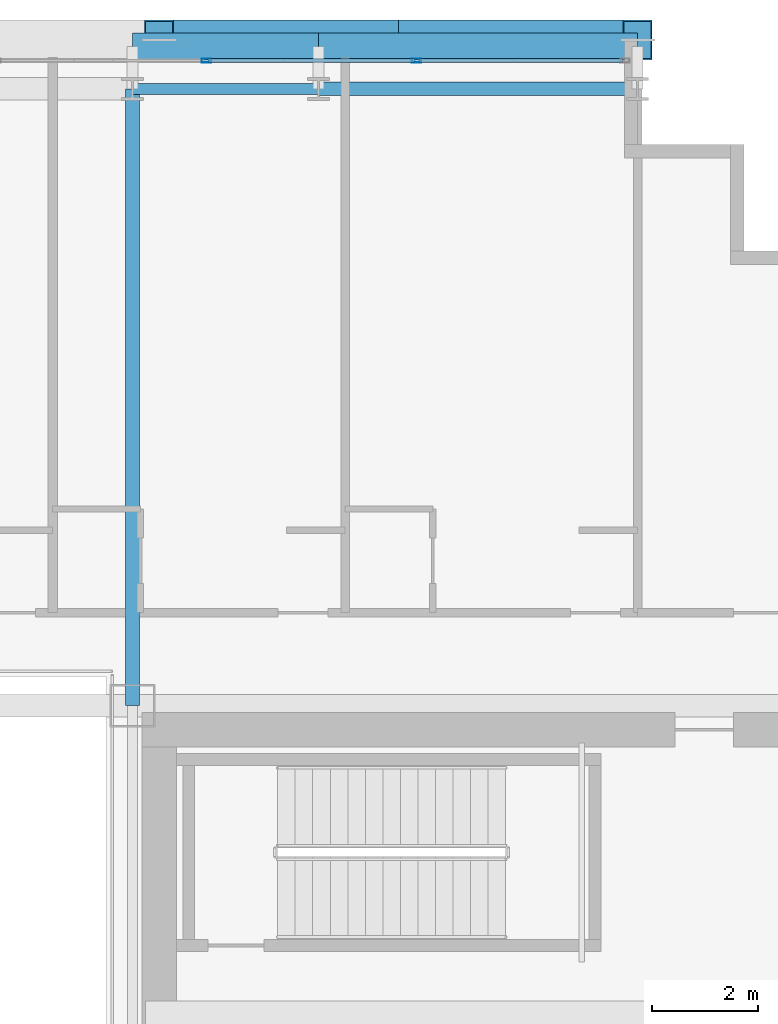
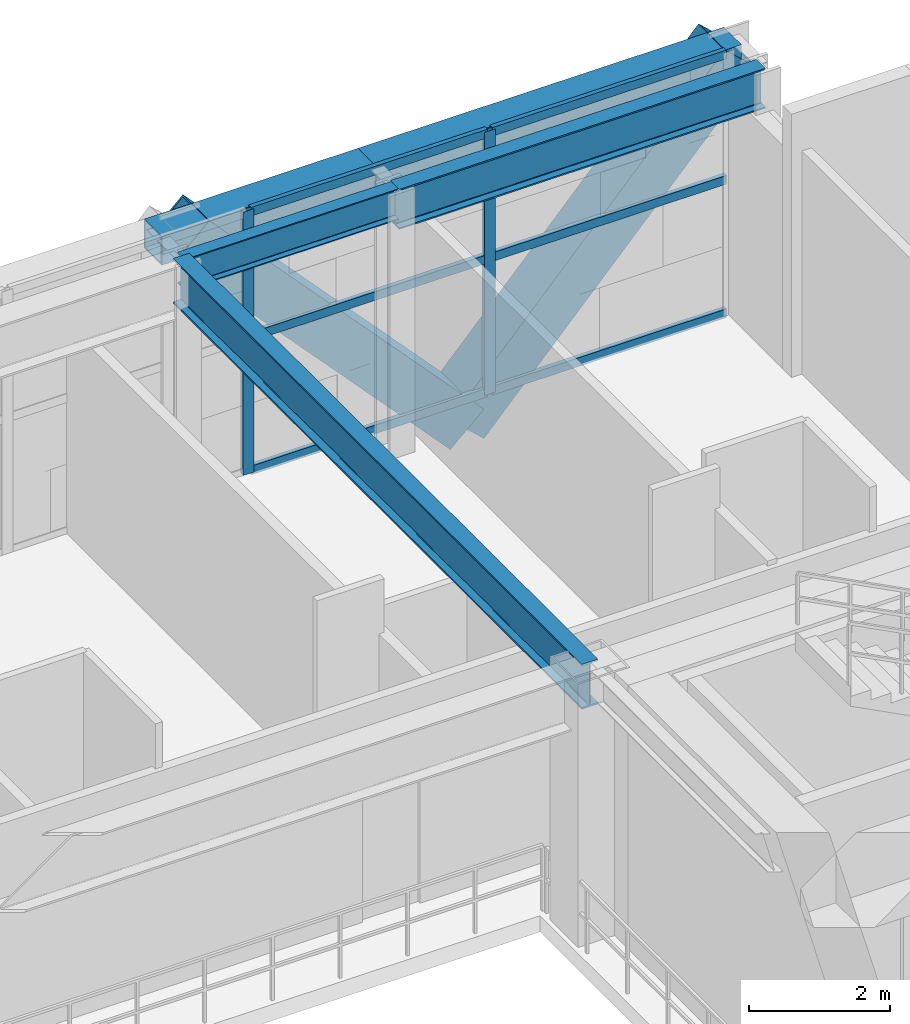
# One storey, part 23 of 38: 10 members, 5 beams, 1 element without a shape of its own.
"""IFC4 building model written with IfcOpenShell, lengths in metres."""

from ifc_helpers import new_model, si_unit, direction, frame, origin, origin_2d, place, context, subcontext, project, spatial, hollow_rectangle, i_section, extrude, source, transform, mapped, material, layer, layer_set, material_profile, profile_set, type_object, element, aggregate, save


model = new_model("IFC4")

# Units and contexts
model_context = context("Model", 3, precision=1e-05, world=origin(), true_north=direction((0.0, 1.0)))
body_context = subcontext(model_context, "Body", "Model", "MODEL_VIEW")
ifc_project = project(units=[si_unit("LENGTHUNIT", "METRE"), si_unit("AREAUNIT", "SQUARE_METRE"), si_unit("VOLUMEUNIT", "CUBIC_METRE"), si_unit("PLANEANGLEUNIT", "RADIAN"), si_unit("MASSUNIT", "GRAM", prefix="KILO")], contexts=[model_context])

# Site, building, storey
site_placement = place(None, origin())
site = spatial("IfcSite", under=ifc_project, at=site_placement, CompositionType="ELEMENT")
building_placement = place(site_placement, origin())
building = spatial("IfcBuilding", under=site, at=building_placement, Name="Ocotamira Hotel", CompositionType="ELEMENT")
storey_placement = place(building_placement, frame((0.0, 0.0, 92.39990234375)))
storey = spatial("IfcBuildingStorey", under=building, at=storey_placement, Name="L22", CompositionType="ELEMENT", Elevation=92.39990234375)

# Beams
ifc_material_1 = material(Name="Steel ASTM A992 Grade 50", Category="steel")
ifc_material_profile_1 = material_profile(ifc_material_1, i_section(OverallWidth=0.256103515625, OverallDepth=0.693115234375, WebThickness=0.014404296875, FlangeThickness=0.023681640625, FilletRadius=0.01611328125, at=origin_2d()), Name="W27X114")
ifc_profile_set_1 = profile_set([ifc_material_profile_1], Name="Steel ASTM A992 Grade 50")
beam_type_1 = type_object("IfcBeamType", Name="BM-PRIM-W27X114", PredefinedType="BEAM", material=ifc_profile_set_1)
shared_shape_1 = source(origin(), body_context, "Body", "SweptSolid", [
    extrude(i_section(OverallWidth=0.256103515625, OverallDepth=0.693115234375, WebThickness=0.014404296875, FlangeThickness=0.023681640625, FilletRadius=0.01611328125, at=origin_2d()), origin(), (0.0, 0.0, 1.0), 6.0),
])
beam_1_placement = place(storey_placement, frame((44.0, 49.050048828125, 4.213623046875), z_axis=(1.0, 0.0, 0.0), x_axis=(0.0, 1.0, 0.0)))
element("IfcBeam", 1, at=beam_1_placement, inside=storey, type_object=beam_type_1, Name="L22 Girder Y49.05 X44-50", PredefinedType="BEAM", context=body_context, shape_type="MappedRepresentation", body=[
    mapped(shared_shape_1, transform((0.0, 0.0, 0.0), scale=1.0)),
])
ifc_material_profile_2 = material_profile(ifc_material_1, i_section(OverallWidth=0.2099609375, OverallDepth=0.537109375, WebThickness=0.010986328125, FlangeThickness=0.017333984375, FilletRadius=0.012939453125, at=origin_2d()), Name="W21X68")
ifc_profile_set_2 = profile_set([ifc_material_profile_2], Name="Steel ASTM A992 Grade 50")
beam_type_2 = type_object("IfcBeamType", Name="BM-SEC-W21X68", PredefinedType="JOIST", material=ifc_profile_set_2)
shared_shape_2 = source(origin(), body_context, "Body", "SweptSolid", [
    extrude(i_section(OverallWidth=0.2099609375, OverallDepth=0.537109375, WebThickness=0.010986328125, FlangeThickness=0.017333984375, FilletRadius=0.012939453125, at=origin_2d()), origin(), (0.0, 0.0, 1.0), 3.5),
])
beam_2_placement = place(storey_placement, frame((40.5, 49.050048828125, 4.29150390625), z_axis=(1.0, 0.0, 0.0), x_axis=(0.0, 1.0, 0.0)))
element("IfcBeam", 2, at=beam_2_placement, inside=storey, type_object=beam_type_2, Name="L22 Girder Y49.05 X40.5-44", PredefinedType="JOIST", context=body_context, shape_type="MappedRepresentation", body=[
    mapped(shared_shape_2, transform((0.0, 0.0, 0.0), scale=1.0)),
])
ifc_material_profile_3 = material_profile(ifc_material_1, i_section(OverallWidth=0.26611328125, OverallDepth=0.779052734375, WebThickness=0.0166015625, FlangeThickness=0.030029296875, FilletRadius=0.01806640625, at=origin_2d()), Name="W30X148")
ifc_profile_set_3 = profile_set([ifc_material_profile_3], Name="Steel ASTM A992 Grade 50")
beam_type_3 = type_object("IfcBeamType", Name="BM-GIRD-W30X148", PredefinedType="BEAM", material=ifc_profile_set_3)
shared_shape_3 = source(origin(), body_context, "Body", "SweptSolid", [
    extrude(i_section(OverallWidth=0.26611328125, OverallDepth=0.779052734375, WebThickness=0.0166015625, FlangeThickness=0.030029296875, FilletRadius=0.01806640625, at=origin_2d()), origin(), (0.0, 0.0, 1.0), 11.60009765625),
])
beam_3_placement = place(storey_placement, frame((40.5, 37.449951171875, 4.170654296875), z_axis=(0.0, 1.0, 0.0), x_axis=(-1.0, 0.0, 0.0)))
element("IfcBeam", 3, at=beam_3_placement, inside=storey, type_object=beam_type_3, Name="L22 Beam X40.5 Y37.45-49.05", PredefinedType="BEAM", context=body_context, shape_type="MappedRepresentation", body=[
    mapped(shared_shape_3, transform((0.0, 0.0, 0.0), scale=1.0)),
])
ifc_material_2 = material(Name="Steel ASTM A500 Grade C", Category="steel")
ifc_material_profile_4 = material_profile(ifc_material_2, hollow_rectangle(XDim=0.5, YDim=0.5, WallThickness=0.02001953125, at=origin_2d()), Name="HSS500X500X20")
ifc_profile_set_4 = profile_set([ifc_material_profile_4], Name="Steel ASTM A500 Grade C")
beam_type_4 = type_object("IfcBeamType", Name="BM-SPAN-HSS500", PredefinedType="USERDEFINED", material=ifc_profile_set_4)
shared_shape_4 = source(origin(), body_context, "Body", "SweptSolid", [
    extrude(hollow_rectangle(XDim=0.5, YDim=0.5, WallThickness=0.02001953125, at=origin_2d()), origin(), (0.0, 0.0, 1.0), 6.0),
])
beam_4_placement = place(storey_placement, frame((44.0, 49.85009765625, 4.31005859375), z_axis=(1.0, 0.0, 0.0), x_axis=(0.0, 1.0, 0.0)))
element("IfcBeam", 4, at=beam_4_placement, inside=storey, type_object=beam_type_4, Name="L22 Edge Spandrel N X44-50", ObjectType="SPANDREL", PredefinedType="USERDEFINED", context=body_context, shape_type="MappedRepresentation", body=[
    mapped(shared_shape_4, transform((0.0, 0.0, 0.0), scale=1.0)),
])
shared_shape_5 = source(origin(), body_context, "Body", "SweptSolid", [
    extrude(hollow_rectangle(XDim=0.5, YDim=0.5, WallThickness=0.02001953125, at=origin_2d()), origin(), (0.0, 0.0, 1.0), 3.5),
])
beam_5_placement = place(storey_placement, frame((40.5, 49.85009765625, 4.31005859375), z_axis=(1.0, 0.0, 0.0), x_axis=(0.0, 1.0, 0.0)))
element("IfcBeam", 5, at=beam_5_placement, inside=storey, type_object=beam_type_4, Name="L22 Edge Spandrel N X40.5-44", ObjectType="SPANDREL", PredefinedType="USERDEFINED", context=body_context, shape_type="MappedRepresentation", body=[
    mapped(shared_shape_5, transform((0.0, 0.0, 0.0), scale=1.0)),
])

# Members
ifc_material_3 = material(Name="Pale-metal coated steel ASTM A913 Grade 65", Category="steel")
ifc_material_profile_5 = material_profile(ifc_material_3, hollow_rectangle(XDim=0.75, YDim=0.75, WallThickness=0.028076171875, at=origin_2d()), Name="BOX750X750X28")
ifc_profile_set_5 = profile_set([ifc_material_profile_5], Name="Pale-metal coated steel ASTM A913 Grade 65")
member_type_1 = type_object("IfcMemberType", Name="MEM-EXO-BOX750", PredefinedType="BRACE", material=ifc_profile_set_5)
shared_shape_6 = source(origin(), body_context, "Body", "SweptSolid", [
    extrude(hollow_rectangle(XDim=0.75, YDim=0.75, WallThickness=0.028076171875, at=origin_2d()), origin(), (0.0, 0.0, 1.0), 6.608642578125),
])
for number, where, z_axis, x_axis, name in (
    (6, (45.5, 49.969970703125, -0.52978515625), (-0.680927060572, 0.0, 0.732351239625), (0.0, -1.0, 0.0), "L22 Exoskeleton Diagrid N3.1"),
    (7, (45.5, 49.969970703125, -0.52978515625), (0.680927060572, 0.0, 0.732351239625), (0.0, 1.0, 0.0), "L22 Exoskeleton Diagrid N3.2"),
):
    element("IfcMember", number, at=place(storey_placement, frame(where, z_axis=z_axis, x_axis=x_axis)), inside=storey, type_object=member_type_1, Name=name, PredefinedType="BRACE", context=body_context, shape_type="MappedRepresentation", body=[
        mapped(shared_shape_6, transform((0.0, 0.0, 0.0), scale=1.0)),
    ])

# Curtain wall, members
ifc_material_4 = material(Name="Anodised pale-metal aluminium and solar glass", Category="aluminium")
ifc_layer = layer(ifc_material_4, 0.239990234375)
ifc_layer_set = layer_set([ifc_layer], Name="Anodised pale-metal aluminium and solar glass")
curtain_wall_type = type_object("IfcCurtainWallType", Name="CW-SYS5-SKY", PredefinedType="NOTDEFINED", material=ifc_layer_set)
curtain_wall_placement = place(storey_placement, origin())
curtain_wall = element("IfcCurtainWall", 8, at=curtain_wall_placement, inside=storey, type_object=curtain_wall_type, Name="L22 Curtain Wall CW-5 CW-L22-N", PredefinedType="NOTDEFINED")
ifc_material_5 = material(Name="Anodised pale-metal aluminium 6063-T6", Category="aluminium")
ifc_material_profile_6 = material_profile(ifc_material_5, hollow_rectangle(XDim=0.074951171875, YDim=0.14990234375, WallThickness=0.006103515625, at=origin_2d()), Name="HSS150X75X6")
ifc_profile_set_6 = profile_set([ifc_material_profile_6], Name="Anodised pale-metal aluminium 6063-T6")
member_type_2 = type_object("IfcMemberType", Name="CWT-150X75", PredefinedType="USERDEFINED", material=ifc_profile_set_6)
shared_shape_7 = source(origin(), body_context, "Body", "SweptSolid", [
    extrude(hollow_rectangle(XDim=0.074951171875, YDim=0.14990234375, WallThickness=0.006103515625, at=origin_2d()), origin(), (0.0, 0.0, 1.0), 3.83544921875),
])
member_1_placement = place(storey_placement, frame((45.884521484375, 49.580078125, 0.03759765625), z_axis=(1.0, 0.0, 0.0), x_axis=(0.0, 1.0, 0.0)))
member_1 = element("IfcMember", 9, at=member_1_placement, type_object=member_type_2, Name="CW-5 transom 9.1", ObjectType="TRANSOM", PredefinedType="USERDEFINED", context=body_context, shape_type="MappedRepresentation", body=[
    mapped(shared_shape_7, transform((0.0, 0.0, 0.0), scale=1.0)),
])
member_2_placement = place(storey_placement, frame((45.884521484375, 49.580078125, 2.35009765625), z_axis=(1.0, 0.0, 0.0), x_axis=(0.0, 1.0, 0.0)))
member_2 = element("IfcMember", 10, at=member_2_placement, type_object=member_type_2, Name="CW-5 transom 9.2", ObjectType="TRANSOM", PredefinedType="USERDEFINED", context=body_context, shape_type="MappedRepresentation", body=[
    mapped(shared_shape_7, transform((0.0, 0.0, 0.0), scale=1.0)),
])
member_3_placement = place(storey_placement, frame((45.884521484375, 49.580078125, 4.522705078125), z_axis=(1.0, 0.0, 0.0), x_axis=(0.0, 1.0, 0.0)))
member_3 = element("IfcMember", 11, at=member_3_placement, type_object=member_type_2, Name="CW-5 transom 9.3", ObjectType="TRANSOM", PredefinedType="USERDEFINED", context=body_context, shape_type="MappedRepresentation", body=[
    mapped(shared_shape_7, transform((0.0, 0.0, 0.0), scale=1.0)),
])
shared_shape_8 = source(origin(), body_context, "Body", "SweptSolid", [
    extrude(hollow_rectangle(XDim=0.074951171875, YDim=0.14990234375, WallThickness=0.006103515625, at=origin_2d()), origin(), (0.0, 0.0, 1.0), 3.87548828125),
])
member_4_placement = place(storey_placement, frame((41.928955078125, 49.580078125, 0.03759765625), z_axis=(1.0, 0.0, 0.0), x_axis=(0.0, 1.0, 0.0)))
member_4 = element("IfcMember", 12, at=member_4_placement, type_object=member_type_2, Name="CW-5 transom 8.1", ObjectType="TRANSOM", PredefinedType="USERDEFINED", context=body_context, shape_type="MappedRepresentation", body=[
    mapped(shared_shape_8, transform((0.0, 0.0, 0.0), scale=1.0)),
])
member_5_placement = place(storey_placement, frame((41.928955078125, 49.580078125, 2.35009765625), z_axis=(1.0, 0.0, 0.0), x_axis=(0.0, 1.0, 0.0)))
member_5 = element("IfcMember", 13, at=member_5_placement, type_object=member_type_2, Name="CW-5 transom 8.2", ObjectType="TRANSOM", PredefinedType="USERDEFINED", context=body_context, shape_type="MappedRepresentation", body=[
    mapped(shared_shape_8, transform((0.0, 0.0, 0.0), scale=1.0)),
])
member_6_placement = place(storey_placement, frame((41.928955078125, 49.580078125, 4.522705078125), z_axis=(1.0, 0.0, 0.0), x_axis=(0.0, 1.0, 0.0)))
member_6 = element("IfcMember", 14, at=member_6_placement, type_object=member_type_2, Name="CW-5 transom 8.3", ObjectType="TRANSOM", PredefinedType="USERDEFINED", context=body_context, shape_type="MappedRepresentation", body=[
    mapped(shared_shape_8, transform((0.0, 0.0, 0.0), scale=1.0)),
])
ifc_material_profile_7 = material_profile(ifc_material_5, hollow_rectangle(XDim=0.080078125, YDim=0.179931640625, WallThickness=0.006103515625, at=origin_2d()), Name="HSS180X80X6")
ifc_profile_set_7 = profile_set([ifc_material_profile_7], Name="Anodised pale-metal aluminium 6063-T6")
member_type_3 = type_object("IfcMemberType", Name="CWM-180X75", PredefinedType="MULLION", material=ifc_profile_set_7)
shared_shape_9 = source(origin(), body_context, "Body", "SweptSolid", [
    extrude(hollow_rectangle(XDim=0.080078125, YDim=0.179931640625, WallThickness=0.006103515625, at=origin_2d()), origin(), (0.0, 0.0, 1.0), 4.56005859375),
])
member_7_placement = place(storey_placement, frame((41.888916015625, 49.580078125, 0.0), z_axis=(0.0, 0.0, 1.0), x_axis=(0.0, 1.0, 0.0)))
member_7 = element("IfcMember", 15, at=member_7_placement, type_object=member_type_3, Name="CW-5 mullion 8", PredefinedType="MULLION", context=body_context, shape_type="MappedRepresentation", body=[
    mapped(shared_shape_9, transform((0.0, 0.0, 0.0), scale=1.0)),
])
member_8_placement = place(storey_placement, frame((45.844482421875, 49.580078125, 0.0), z_axis=(0.0, 0.0, 1.0), x_axis=(0.0, 1.0, 0.0)))
member_8 = element("IfcMember", 16, at=member_8_placement, type_object=member_type_3, Name="CW-5 mullion 9", PredefinedType="MULLION", context=body_context, shape_type="MappedRepresentation", body=[
    mapped(shared_shape_9, transform((0.0, 0.0, 0.0), scale=1.0)),
])
aggregate(curtain_wall, [member_7, member_8, member_4, member_5, member_6, member_1, member_2, member_3])

save(model, "model.ifc")
